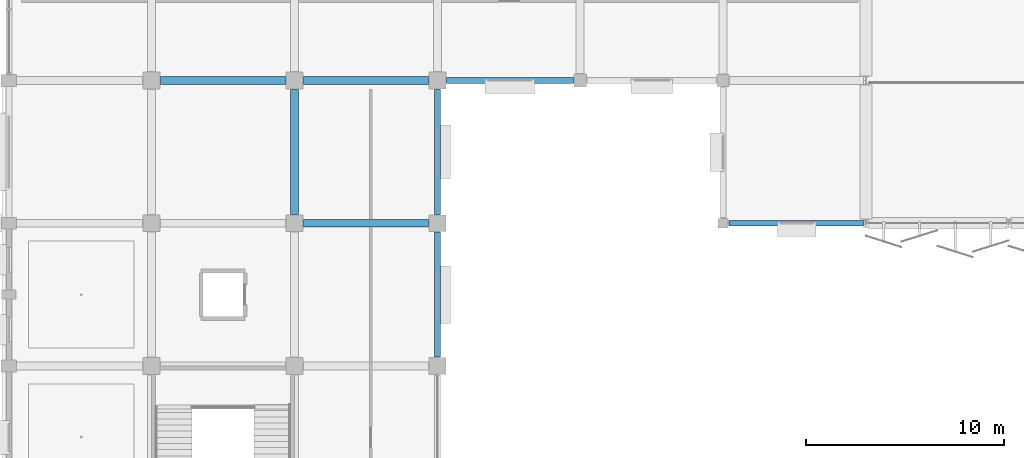
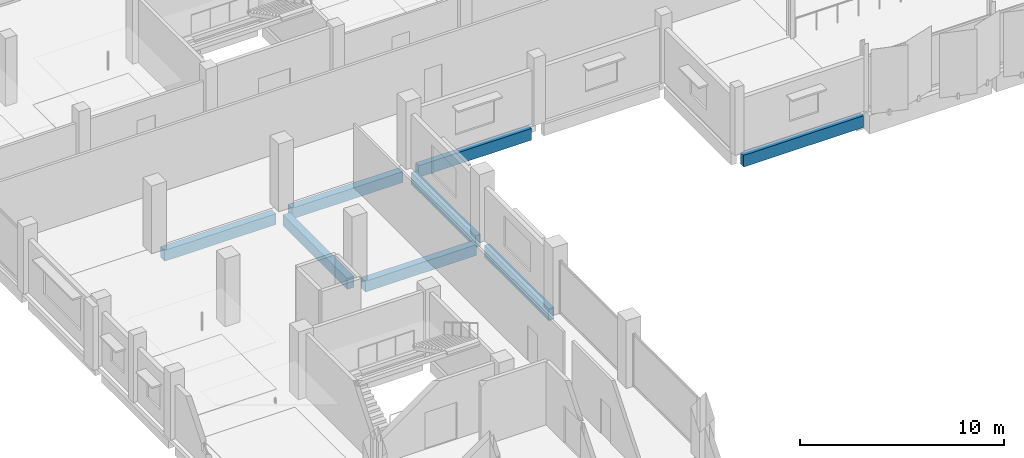
# One storey, part 27 of 107: 8 beams.
"""IFC4 building model written with IfcOpenShell, lengths in metres."""

import ifcopenshell
import ifcopenshell.guid

model = None  # the IFC model being written
_history = None  # IfcOwnerHistory: only IFC2X3 demands one
_inside = {}  # id of a spatial element -> (the spatial element, [elements in it])
_under = {}  # id of a project, library or spatial element -> (it, [spatial elements below it])
_declared = {}  # id of a project -> (the project, [libraries it declares])
_typed = {}  # id of a type object -> (the type object, [elements of that type])
_made_of = {}  # id of a material, layer set ... -> (it, [elements and type objects made of it])


def new_model(schema):
    """Start an empty IFC model of exactly this schema.

    Asked for "IFC4X3", IfcOpenShell would pick the latest addendum, in which some entities
    have other attributes; the version numbers below select the first issue.
    IFC2X3 requires an IfcOwnerHistory on every rooted entity: one is made here for all.
    """
    global model, _history
    if schema == "IFC4X3":
        model = ifcopenshell.file(schema_version=(4, 3, 0, 0))
    else:
        model = ifcopenshell.file(schema=schema)
    _inside.clear()
    _under.clear()
    _declared.clear()
    _typed.clear()
    _made_of.clear()
    _history = None
    if model.schema == "IFC2X3":
        org = make("IfcOrganization", Name="unknown")
        user = make(
            "IfcPersonAndOrganization",
            ThePerson=make("IfcPerson", FamilyName="unknown"),
            TheOrganization=org,
        )
        app = make(
            "IfcApplication",
            ApplicationDeveloper=org,
            Version="unknown",
            ApplicationFullName="unknown",
            ApplicationIdentifier="unknown",
        )
        _history = make(
            "IfcOwnerHistory",
            OwningUser=user,
            OwningApplication=app,
            ChangeAction="ADDED",
            CreationDate=0,
        )
    return model


def make(cls, **values):
    """One entity of the class cls with the attributes given. An attribute that is None is left unset."""
    return model.create_entity(
        cls, **{name: value for name, value in values.items() if value is not None}
    )


def rooted(cls, **values):
    """An entity with a GlobalId (a new one), such as an element, a storey or a relation."""
    return make(cls, GlobalId=ifcopenshell.guid.new(), OwnerHistory=_history, **values)


def si_unit(unit_type, name, prefix=None):
    """IfcSIUnit, for example si_unit("LENGTHUNIT", "METRE", prefix="MILLI")."""
    return make("IfcSIUnit", UnitType=unit_type, Prefix=prefix, Name=name)


def assignment(units):
    """IfcUnitAssignment: the units of a project."""
    return None if units is None else make("IfcUnitAssignment", Units=units)


def point(xyz):
    """IfcCartesianPoint."""
    return None if xyz is None else make("IfcCartesianPoint", Coordinates=xyz)


def direction(xyz):
    """IfcDirection."""
    return None if xyz is None else make("IfcDirection", DirectionRatios=xyz)


def frame(location, z_axis=None, x_axis=None):
    """IfcAxis2Placement3D, a coordinate frame: its origin and axes. An axis left out is left unset."""
    return make(
        "IfcAxis2Placement3D",
        Location=point(location),
        Axis=direction(z_axis),
        RefDirection=direction(x_axis),
    )


def frame_2d(location, x_axis=None):
    """IfcAxis2Placement2D, a coordinate frame in the plane: its origin and x axis."""
    return make(
        "IfcAxis2Placement2D", Location=point(location), RefDirection=direction(x_axis)
    )


def origin():
    """The frame at (0, 0, 0) with its axes left unset."""
    return frame((0.0, 0.0, 0.0))


def origin_2d():
    """The frame at (0, 0) in the plane with its x axis left unset."""
    return frame_2d((0.0, 0.0))


def place(relative_to, where):
    """IfcLocalPlacement: puts the frame where relative to a parent placement (None: the world)."""
    return make(
        "IfcLocalPlacement", PlacementRelTo=relative_to, RelativePlacement=where
    )


def context(
    kind, dimensions, precision=None, world=None, true_north=None, identifier=None
):
    """IfcGeometricRepresentationContext, for example the 3D "Model" context."""
    return make(
        "IfcGeometricRepresentationContext",
        ContextIdentifier=identifier,
        ContextType=kind,
        CoordinateSpaceDimension=dimensions,
        Precision=precision,
        WorldCoordinateSystem=world,
        TrueNorth=true_north,
    )


def subcontext(parent, identifier, kind, view, scale=None):
    """IfcGeometricRepresentationSubContext, for example "Body" below "Model"."""
    return make(
        "IfcGeometricRepresentationSubContext",
        ContextIdentifier=identifier,
        ContextType=kind,
        ParentContext=parent,
        TargetScale=scale,
        TargetView=view,
    )


def project(units=None, contexts=None):
    """IfcProject with its units and contexts."""
    return rooted(
        "IfcProject",
        Name="project",
        RepresentationContexts=contexts,
        UnitsInContext=assignment(units),
    )


def spatial(cls, under=None, at=None, **own):
    """A site, building, storey or space (cls), placed at a placement, below another one or the project."""
    s = rooted(cls, ObjectPlacement=at, **own)
    if under is not None:
        _under.setdefault(under.id(), (under, []))[1].append(s)
    return s


def profile(cls, at=None, kind="AREA", **sizes):
    """A parametric profile (cls). Its sizes go by their IFC names, for example OverallWidth=200.0."""
    return make(cls, ProfileType=kind, Position=at, **sizes)


def rectangle(**sizes):
    """IfcRectangleProfileDef."""
    return profile("IfcRectangleProfileDef", **sizes)


def extrude(swept, where, along, depth):
    """IfcExtrudedAreaSolid: the profile swept, set in the frame where, extruded along a direction by depth."""
    return make(
        "IfcExtrudedAreaSolid",
        SweptArea=swept,
        Position=where,
        ExtrudedDirection=direction(along),
        Depth=depth,
    )


def shape(context_of_items, identifier, shape_type, items):
    """IfcShapeRepresentation: the items that make up one representation, for example the "Body"."""
    return make(
        "IfcShapeRepresentation",
        ContextOfItems=context_of_items,
        RepresentationIdentifier=identifier,
        RepresentationType=shape_type,
        Items=items,
    )


def material(Name=None, Category=None):
    """IfcMaterial."""
    return make("IfcMaterial", Name=Name, Category=Category)


def material_profile(
    of_material, cross_section, Name=None, Category=None, Priority=None
):
    """IfcMaterialProfile: a cross section and its material."""
    return make(
        "IfcMaterialProfile",
        Name=Name,
        Material=of_material,
        Profile=cross_section,
        Priority=Priority,
        Category=Category,
    )


def profile_set(profiles, Name=None, composite=None):
    """IfcMaterialProfileSet."""
    return make(
        "IfcMaterialProfileSet",
        Name=Name,
        MaterialProfiles=profiles,
        CompositeProfile=composite,
    )


def made_of(thing, what):
    """Note that an element or type object is made of a material, layer set ...; save() writes the relation."""
    if what is not None:
        _made_of.setdefault(what.id(), (what, []))[1].append(thing)
    return thing


def type_object(cls, material=None, **own):
    """A type object (cls), such as IfcWallType, which elements share."""
    return made_of(rooted(cls, **own), material)


def element(
    cls,
    number,
    at=None,
    inside=None,
    cuts=None,
    type_object=None,
    material=None,
    context=None,
    identifier="Body",
    shape_type=None,
    held_by="IfcProductDefinitionShape",
    body=None,
    shapes=None,
    **own,
):
    """One element of the class cls, such as IfcWall. Its Tag is "e" and its number.

    at: its placement. inside: the storey or other place that contains it. cuts: it is an
    opening in that element (IfcRelVoidsElement). A single representation is given by context,
    identifier, shape_type and body (its items); several are given by shapes. held_by: the class
    of the entity that holds the representations. save() writes the other relations.
    """
    e = rooted(cls, Tag="e%d" % number, ObjectPlacement=at, **own)
    if body is not None:
        shapes = [shape(context, identifier, shape_type, body)]
    if shapes is not None:
        e.Representation = make(held_by, Representations=shapes)
    if inside is not None:
        _inside.setdefault(inside.id(), (inside, []))[1].append(e)
    if cuts is not None:
        rooted(
            "IfcRelVoidsElement", RelatingBuildingElement=cuts, RelatedOpeningElement=e
        )
    if type_object is not None:
        _typed.setdefault(type_object.id(), (type_object, []))[1].append(e)
    return made_of(e, material)


def aggregate(whole, parts):
    """IfcRelAggregates: a whole, such as a stair, and the parts it consists of."""
    return rooted("IfcRelAggregates", RelatingObject=whole, RelatedObjects=parts)


def save(model, path):
    """Write the relations noted so far, then the file.

    IfcRelAggregates (storeys below a building ...), IfcRelContainedInSpatialStructure (elements
    in a storey), IfcRelDefinesByType, IfcRelAssociatesMaterial and IfcRelDeclares: one each for
    every whole, place, type object, material and project.
    """
    for whole, parts in _under.values():
        aggregate(whole, parts)
    for where, things in _inside.values():
        rooted(
            "IfcRelContainedInSpatialStructure",
            RelatedElements=things,
            RelatingStructure=where,
        )
    for kind, things in _typed.values():
        rooted("IfcRelDefinesByType", RelatedObjects=things, RelatingType=kind)
    for what, things in _made_of.values():
        rooted("IfcRelAssociatesMaterial", RelatedObjects=things, RelatingMaterial=what)
    for by, libraries in _declared.values():
        rooted("IfcRelDeclares", RelatingContext=by, RelatedDefinitions=libraries)
    model.write(path)


model = new_model("IFC4")

# Units and contexts
model_context = context("Model", 3, precision=1e-05, world=origin(), true_north=direction((0.0, 1.0)))
body_context = subcontext(model_context, "Body", "Model", "MODEL_VIEW")
ifc_project = project(units=[si_unit("LENGTHUNIT", "METRE"), si_unit("AREAUNIT", "SQUARE_METRE"), si_unit("VOLUMEUNIT", "CUBIC_METRE"), si_unit("PLANEANGLEUNIT", "RADIAN"), si_unit("MASSUNIT", "GRAM", prefix="KILO")], contexts=[model_context])

# Site, building, storey
site_placement = place(None, origin())
site = spatial("IfcSite", under=ifc_project, at=site_placement, CompositionType="ELEMENT")
building_placement = place(site_placement, origin())
building = spatial("IfcBuilding", under=site, at=building_placement, Name="Kangsadwip Square Police Headquarters", CompositionType="ELEMENT")
storey_placement = place(building_placement, frame((0.0, 0.0, 5.39990234375)))
storey = spatial("IfcBuildingStorey", under=building, at=storey_placement, Name="L01", CompositionType="ELEMENT", Elevation=5.39990234375)

# Beams
ifc_material_1 = material(Name="Concrete M35 (35 MPa)", Category="concrete")
ifc_material_profile_1 = material_profile(ifc_material_1, rectangle(XDim=0.39990234375, YDim=0.64990234375, at=origin_2d()), Name="RC BM 650X400")
ifc_profile_set_1 = profile_set([ifc_material_profile_1], Name="Concrete M35 (35 MPa)")
beam_type_1 = type_object("IfcBeamType", Name="RcBeam650x400", PredefinedType="BEAM", material=ifc_profile_set_1)
beam_1_placement = place(storey_placement, frame((14.85009765625, 86.39990234375, -0.56494140625), z_axis=(1.0, 0.0, 0.0), x_axis=(0.0, 1.0, 0.0)))
element("IfcBeam", 1, at=beam_1_placement, inside=storey, type_object=beam_type_1, Name="Beam BM-L01-X-02-12", PredefinedType="BEAM", context=body_context, shape_type="SweptSolid", body=[
    extrude(rectangle(XDim=0.39990234375, YDim=0.64990234375, at=origin_2d()), origin(), (0.0, 0.0, 1.0), 6.2998046875),
])
beam_2_placement = place(storey_placement, frame((7.64990234375, 93.60009765625, -0.56494140625), z_axis=(1.0, 0.0, 0.0), x_axis=(0.0, 1.0, 0.0)))
element("IfcBeam", 2, at=beam_2_placement, inside=storey, type_object=beam_type_1, Name="Beam BM-L01-X-01-13", PredefinedType="BEAM", context=body_context, shape_type="SweptSolid", body=[
    extrude(rectangle(XDim=0.39990234375, YDim=0.64990234375, at=origin_2d()), origin(), (0.0, 0.0, 1.0), 6.300048828125),
])
for number, where, z_axis, x_axis, name in (
    (3, (14.85009765625, 93.60009765625, -0.56494140625), (1.0, 0.0, 0.0), (0.0, 1.0, 0.0), "Beam BM-L01-X-02-13"),
    (4, (14.39990234375, 86.85009765625, -0.56494140625), (0.0, 1.0, 0.0), (-1.0, 0.0, 0.0), "Beam BM-L01-Y-02-12"),
):
    element("IfcBeam", number, at=place(storey_placement, frame(where, z_axis=z_axis, x_axis=x_axis)), inside=storey, type_object=beam_type_1, Name=name, PredefinedType="BEAM", context=body_context, shape_type="SweptSolid", body=[
        extrude(rectangle(XDim=0.39990234375, YDim=0.64990234375, at=origin_2d()), origin(), (0.0, 0.0, 1.0), 6.2998046875),
    ])
ifc_material_2 = material(Name="Concrete M40 (40 MPa)", Category="concrete")
ifc_material_profile_2 = material_profile(ifc_material_2, rectangle(XDim=0.300048828125, YDim=0.699951171875, at=origin_2d()), Name="RC SPN 700X300")
ifc_profile_set_2 = profile_set([ifc_material_profile_2], Name="Concrete M40 (40 MPa)")
beam_type_2 = type_object("IfcBeamType", Name="RcSpandrel700x300", PredefinedType="SPANDREL", material=ifc_profile_set_2)
beam_3_placement = place(storey_placement, frame((36.300048828125, 86.39990234375, -0.58984375), z_axis=(1.0, 0.0, 0.0), x_axis=(0.0, 1.0, 0.0)))
element("IfcBeam", 5, at=beam_3_placement, inside=storey, type_object=beam_type_2, Name="Beam BM-L01-X-05-12", PredefinedType="SPANDREL", context=body_context, shape_type="SweptSolid", body=[
    extrude(rectangle(XDim=0.300048828125, YDim=0.699951171875, at=origin_2d()), origin(), (0.0, 0.0, 1.0), 6.77490234375),
])
beam_4_placement = place(storey_placement, frame((22.050048828125, 93.60009765625, -0.58984375), z_axis=(1.0, 0.0, 0.0), x_axis=(0.0, 1.0, 0.0)))
element("IfcBeam", 6, at=beam_4_placement, inside=storey, type_object=beam_type_2, Name="Beam BM-L01-X-03-13", PredefinedType="SPANDREL", context=body_context, shape_type="SweptSolid", body=[
    extrude(rectangle(XDim=0.300048828125, YDim=0.699951171875, at=origin_2d()), origin(), (0.0, 0.0, 1.0), 6.39990234375),
])
beam_5_placement = place(storey_placement, frame((21.60009765625, 79.64990234375, -0.58984375), z_axis=(0.0, 1.0, 0.0), x_axis=(-1.0, 0.0, 0.0)))
element("IfcBeam", 7, at=beam_5_placement, inside=storey, type_object=beam_type_2, Name="Beam BM-L01-Y-03-11", PredefinedType="SPANDREL", context=body_context, shape_type="SweptSolid", body=[
    extrude(rectangle(XDim=0.300048828125, YDim=0.699951171875, at=origin_2d()), origin(), (0.0, 0.0, 1.0), 6.300048828125),
])
beam_6_placement = place(storey_placement, frame((21.60009765625, 86.85009765625, -0.58984375), z_axis=(0.0, 1.0, 0.0), x_axis=(-1.0, 0.0, 0.0)))
element("IfcBeam", 8, at=beam_6_placement, inside=storey, type_object=beam_type_2, Name="Beam BM-L01-Y-03-12", PredefinedType="SPANDREL", context=body_context, shape_type="SweptSolid", body=[
    extrude(rectangle(XDim=0.300048828125, YDim=0.699951171875, at=origin_2d()), origin(), (0.0, 0.0, 1.0), 6.2998046875),
])

save(model, "model.ifc")
